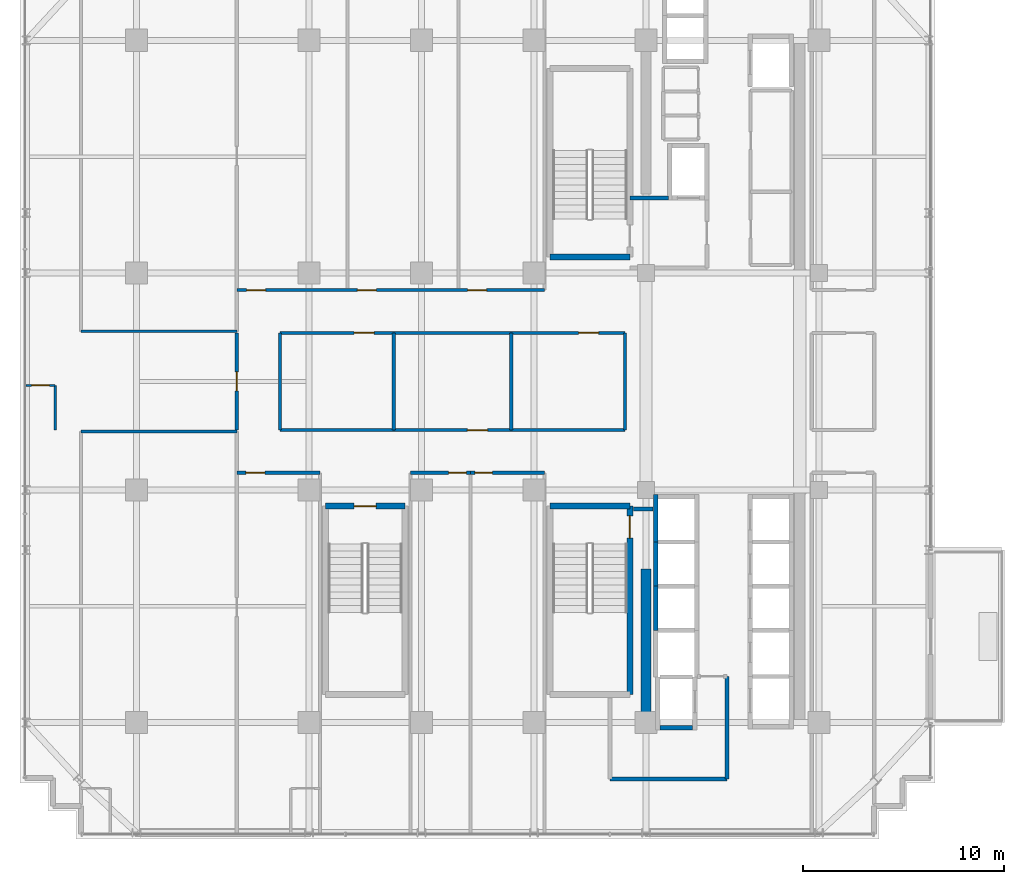
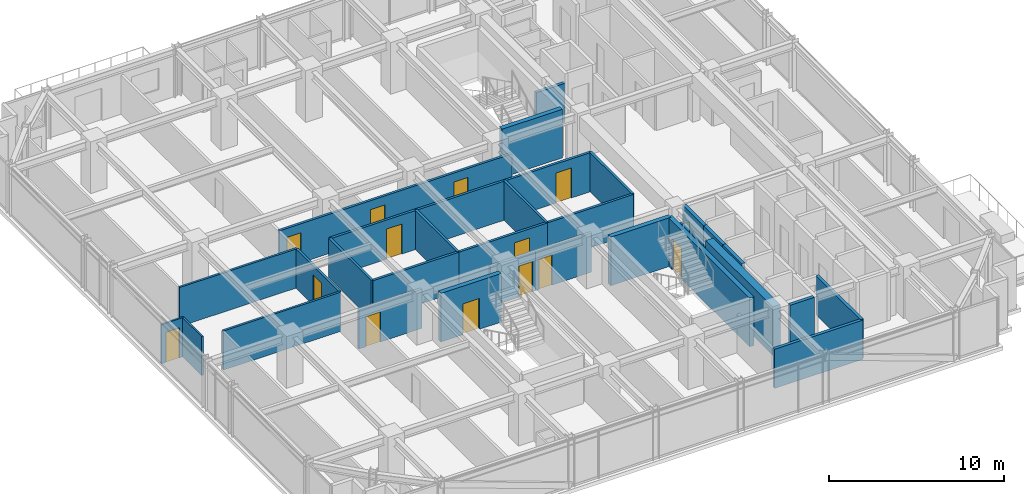
# One storey, part 22 of 29: 32 walls, 13 doors, 13 openings.
"""IFC4 building model written with IfcOpenShell, lengths in metres."""

from ifc_helpers import new_model, si_unit, direction, frame, frame_2d, origin, place, context, subcontext, project, spatial, rectangle, extrude, source, transform, mapped, material, layer, layer_set, type_object, element, fill, save


model = new_model("IFC4")

# Units and contexts
model_context = context("Model", 3, precision=1e-05, world=origin(), true_north=direction((0.0, 1.0)))
body_context = subcontext(model_context, "Body", "Model", "MODEL_VIEW")
ifc_project = project(units=[si_unit("LENGTHUNIT", "METRE"), si_unit("AREAUNIT", "SQUARE_METRE"), si_unit("VOLUMEUNIT", "CUBIC_METRE"), si_unit("PLANEANGLEUNIT", "RADIAN"), si_unit("MASSUNIT", "GRAM", prefix="KILO")], contexts=[model_context])

# Site, building, storey
site_placement = place(None, origin())
site = spatial("IfcSite", under=ifc_project, at=site_placement, CompositionType="ELEMENT")
building_placement = place(site_placement, origin())
building = spatial("IfcBuilding", under=site, at=building_placement, Name="Nahalor Promenade Grand Hotel", CompositionType="ELEMENT")
storey_placement = place(building_placement, frame((0.0, 0.0, 189.14990234375)))
storey = spatial("IfcBuildingStorey", under=building, at=storey_placement, Name="L48", CompositionType="ELEMENT", Elevation=189.14990234375)

# Walls
ifc_material_1 = material(Name="Concrete B-60 (C50/60)", Category="concrete")
ifc_layer_1 = layer(ifc_material_1, 0.5)
ifc_layer_set_1 = layer_set([ifc_layer_1], Name="Concrete B-60 (C50/60)")
wall_type_1 = type_object("IfcWallType", Name="Wall-CoreShear-500", PredefinedType="SHEAR", material=ifc_layer_set_1)
shared_shape_1 = source(origin(), body_context, "Body", "SweptSolid", [
    extrude(rectangle(XDim=7.64990234375, YDim=0.5, at=frame_2d((3.824951171875, 0.0))), origin(), (0.0, 0.0, 1.0), 3.39013671875),
])
wall_1_placement = place(storey_placement, frame((8.39990234375, -17.0, 0.0), z_axis=(0.0, 0.0, 1.0), x_axis=(0.0, 1.0, 0.0)))
element("IfcWall", 1, at=wall_1_placement, inside=storey, type_object=wall_type_1, Name="CWALL-L48-SW", PredefinedType="SHEAR", context=body_context, shape_type="MappedRepresentation", body=[
    mapped(shared_shape_1, transform((0.0, 0.0, 0.0), scale=1.0)),
])
ifc_material_2 = material(Name="Concrete B-50 (C40/50)", Category="concrete")
ifc_layer_2 = layer(ifc_material_2, 0.300048828125)
ifc_layer_set_2 = layer_set([ifc_layer_2], Name="Concrete B-50 (C40/50)")
wall_type_2 = type_object("IfcWallType", Name="Wall-ShaftShear-300", PredefinedType="SHEAR", material=ifc_layer_set_2)
shared_shape_2 = source(origin(), body_context, "Body", "SweptSolid", [
    extrude(rectangle(XDim=3.97998046875, YDim=0.300048828125, at=frame_2d((1.989990234375, 0.0))), origin(), (0.0, 0.0, 1.0), 3.39013671875),
])
for number, where, z_axis, x_axis, name in (
    (2, (3.610107421875, 6.2099609375, 0.0), (0.0, 0.0, 1.0), (1.0, 0.0, 0.0), "L48 Exit Stair ST1 Shaft Wall S"),
    (3, (3.610107421875, -6.2099609375, 0.0), (0.0, 0.0, 1.0), (1.0, 0.0, 0.0), "L48 Exit Stair ST2 Shaft Wall N"),
):
    element("IfcWall", number, at=place(storey_placement, frame(where, z_axis=z_axis, x_axis=x_axis)), inside=storey, type_object=wall_type_2, Name=name, PredefinedType="SHEAR", context=body_context, shape_type="MappedRepresentation", body=[
        mapped(shared_shape_2, transform((0.0, 0.0, 0.0), scale=1.0)),
    ])

# Wall, opening, door
wall_2_placement = place(storey_placement, frame((-7.590087890625, -6.2099609375, 0.0), z_axis=(0.0, 0.0, 1.0), x_axis=(1.0, 0.0, 0.0)))
wall_2 = element("IfcWall", 4, at=wall_2_placement, inside=storey, type_object=wall_type_2, Name="L48 Exit Stair ST3 Shaft Wall N", PredefinedType="SHEAR", context=body_context, shape_type="MappedRepresentation", body=[
    mapped(shared_shape_2, transform((0.0, 0.0, 0.0), scale=1.0)),
])
opening_1_placement = place(wall_2_placement, frame((1.43994140625, 0.0, 0.0)))
opening_1 = element("IfcOpeningElement", 5, at=opening_1_placement, cuts=wall_2, Name="Opening D-ST1", PredefinedType="OPENING", context=body_context, shape_type="SweptSolid", body=[
    extrude(rectangle(XDim=1.10009765625, YDim=2.14990234375, at=frame_2d((0.550048828125, 1.074951171875))), frame((0.0, 0.159912109375, 0.0), z_axis=(0.0, -1.0, 0.0), x_axis=(1.0, 0.0, 0.0)), (0.0, 0.0, 1.0), 0.320068359375),
])
ifc_material_3 = material(Name="Steel S355JR", Category="steel")
door_type_1 = type_object("IfcDoorType", Name="Door-StairFire-1100", OperationType="NOTDEFINED", PredefinedType="DOOR", material=ifc_material_3)
shared_shape_3 = source(origin(), body_context, "Body", "SweptSolid", [
    extrude(rectangle(XDim=1.10009765625, YDim=2.14990234375, at=frame_2d((0.550048828125, 1.074951171875))), frame((0.0, 0.02490234375, 0.0), z_axis=(0.0, -1.0, 0.0), x_axis=(1.0, 0.0, 0.0)), (0.0, 0.0, 1.0), 0.050048828125),
])
door_1_placement = place(opening_1_placement, frame((1.10009765625, 0.0, 0.0), z_axis=(0.0, 0.0, 1.0), x_axis=(-1.0, 0.0, 0.0)))
door_1 = element("IfcDoor", 6, at=door_1_placement, inside=storey, type_object=door_type_1, Name="DR-STAIR-ST3-L48", OperationType="SINGLE_SWING_LEFT", OverallHeight=2.14990234375, OverallWidth=1.10009765625, PredefinedType="DOOR", context=body_context, shape_type="MappedRepresentation", body=[
    mapped(shared_shape_3, transform((0.0, 0.0, 0.0), scale=1.0)),
])
fill(opening_1, door_1)

shared_shape_4 = source(origin(), body_context, "Body", "SweptSolid", [
    extrude(rectangle(XDim=9.380126953125, YDim=0.300048828125, at=frame_2d((4.68994140625, 0.0))), origin(), (0.0, 0.0, 1.0), 3.39013671875),
])
wall_3_placement = place(storey_placement, frame((7.590087890625, -15.590087890625, 0.0), z_axis=(0.0, 0.0, 1.0), x_axis=(0.0, 1.0, 0.0)))
wall_3 = element("IfcWall", 7, at=wall_3_placement, inside=storey, type_object=wall_type_2, Name="L48 Exit Stair ST2 Shaft Wall E", PredefinedType="SHEAR", context=body_context, shape_type="MappedRepresentation", body=[
    mapped(shared_shape_4, transform((0.0, 0.0, 0.0), scale=1.0)),
])
opening_2_placement = place(wall_3_placement, frame((7.7900390625, 0.0, 0.0)))
opening_2 = element("IfcOpeningElement", 8, at=opening_2_placement, cuts=wall_3, Name="Opening D-ST1", PredefinedType="OPENING", context=body_context, shape_type="SweptSolid", body=[
    extrude(rectangle(XDim=1.10009765625, YDim=2.14990234375, at=frame_2d((0.550048828125, 1.074951171875))), frame((0.0, 0.159912109375, 0.0), z_axis=(0.0, -1.0, 0.0), x_axis=(1.0, 0.0, 0.0)), (0.0, 0.0, 1.0), 0.320068359375),
])
door_2_placement = place(opening_2_placement, origin())
door_2 = element("IfcDoor", 9, at=door_2_placement, inside=storey, type_object=door_type_1, Name="DR-STAIR-ST2-L48", OperationType="SINGLE_SWING_LEFT", OverallHeight=2.14990234375, OverallWidth=1.10009765625, PredefinedType="DOOR", context=body_context, shape_type="MappedRepresentation", body=[
    mapped(shared_shape_3, transform((0.0, 0.0, 0.0), scale=1.0)),
])
fill(opening_2, door_2)

# Walls
ifc_layer_3 = layer(ifc_material_2, 0.219970703125)
ifc_layer_set_3 = layer_set([ifc_layer_3], Name="Concrete B-50 (C40/50)")
wall_type_3 = type_object("IfcWallType", Name="Wall-LiftShaft-220", PredefinedType="SHEAR", material=ifc_layer_set_3)
shared_shape_5 = source(origin(), body_context, "Body", "SweptSolid", [
    extrude(rectangle(XDim=2.360107421875, YDim=0.219970703125, at=frame_2d((1.18017578125, 0.0))), origin(), (0.0, 0.0, 1.0), 3.39013671875),
])
wall_4_placement = place(storey_placement, frame((8.8798828125, -8.0, 0.0), z_axis=(0.0, 0.0, 1.0), x_axis=(0.0, 1.0, 0.0)))
element("IfcWall", 10, at=wall_4_placement, inside=storey, type_object=wall_type_3, Name="L48 Lift PL9 Hoistway Wall W", PredefinedType="SHEAR", context=body_context, shape_type="MappedRepresentation", body=[
    mapped(shared_shape_5, transform((0.0, 0.0, 0.0), scale=1.0)),
])
shared_shape_6 = source(origin(), body_context, "Body", "SweptSolid", [
    extrude(rectangle(XDim=2.199951171875, YDim=0.219970703125, at=frame_2d((1.10009765625, 0.0))), origin(), (0.0, 0.0, 1.0), 3.39013671875),
])
for number, where, z_axis, x_axis, name in (
    (11, (8.8798828125, -10.199951171875, 0.0), (0.0, 0.0, 1.0), (0.0, 1.0, 0.0), "L48 Lift PL10 Hoistway Wall W"),
    (12, (8.8798828125, -12.39990234375, 0.0), (0.0, 0.0, 1.0), (0.0, 1.0, 0.0), "L48 Lift PL11 Hoistway Wall W"),
):
    element("IfcWall", number, at=place(storey_placement, frame(where, z_axis=z_axis, x_axis=x_axis)), inside=storey, type_object=wall_type_3, Name=name, PredefinedType="SHEAR", context=body_context, shape_type="MappedRepresentation", body=[
        mapped(shared_shape_6, transform((0.0, 0.0, 0.0), scale=1.0)),
    ])
shared_shape_7 = source(origin(), body_context, "Body", "SweptSolid", [
    extrude(rectangle(XDim=1.619873046875, YDim=0.219970703125, at=frame_2d((0.81005859375, 0.0))), origin(), (0.0, 0.0, 1.0), 3.39013671875),
])
wall_5_placement = place(storey_placement, frame((9.090087890625, -17.25, 0.0), z_axis=(0.0, 0.0, 1.0), x_axis=(1.0, 0.0, 0.0)))
element("IfcWall", 13, at=wall_5_placement, inside=storey, type_object=wall_type_3, Name="L48 Lift FL2 Hoistway Wall S", PredefinedType="SHEAR", context=body_context, shape_type="MappedRepresentation", body=[
    mapped(shared_shape_7, transform((0.0, 0.0, 0.0), scale=1.0)),
])
ifc_material_4 = material(Name="Concrete B-40 (C32/40)", Category="concrete")
ifc_layer_4 = layer(ifc_material_4, 0.199951171875)
ifc_layer_set_4 = layer_set([ifc_layer_4], Name="Concrete B-40 (C32/40)")
wall_type_4 = type_object("IfcWallType", Name="Wall-PartFire-200", PredefinedType="PARTITIONING", material=ifc_layer_set_4)
shared_shape_8 = source(origin(), body_context, "Body", "SweptSolid", [
    extrude(rectangle(XDim=1.89990234375, YDim=0.199951171875, at=frame_2d((0.949951171875, 0.0))), origin(), (0.0, 0.0, 1.0), 2.72998046875),
])
wall_6_placement = place(storey_placement, frame((7.60009765625, 9.14990234375, 0.0), z_axis=(0.0, 0.0, 1.0), x_axis=(1.0, 0.0, 0.0)))
element("IfcWall", 14, at=wall_6_placement, inside=storey, type_object=wall_type_4, Name="W-L48-FF1-N", PredefinedType="PARTITIONING", context=body_context, shape_type="MappedRepresentation", body=[
    mapped(shared_shape_8, transform((0.0, 0.0, 0.0), scale=1.0)),
])
shared_shape_9 = source(origin(), body_context, "Body", "SweptSolid", [
    extrude(rectangle(XDim=5.81982421875, YDim=0.199951171875, at=frame_2d((2.909912109375, 0.0))), origin(), (0.0, 0.0, 1.0), 2.72998046875),
])
wall_7_placement = place(storey_placement, frame((6.60009765625, -19.800048828125, 0.0), z_axis=(0.0, 0.0, 1.0), x_axis=(1.0, 0.0, 0.0)))
element("IfcWall", 15, at=wall_7_placement, inside=storey, type_object=wall_type_4, Name="W-L48-FF2-S1", PredefinedType="PARTITIONING", context=body_context, shape_type="MappedRepresentation", body=[
    mapped(shared_shape_9, transform((0.0, 0.0, 0.0), scale=1.0)),
])
shared_shape_10 = source(origin(), body_context, "Body", "SweptSolid", [
    extrude(rectangle(XDim=5.10009765625, YDim=0.199951171875, at=frame_2d((2.550048828125, 0.0))), origin(), (0.0, 0.0, 1.0), 2.72998046875),
])
wall_8_placement = place(storey_placement, frame((12.419921875, -19.800048828125, 0.0), z_axis=(0.0, 0.0, 1.0), x_axis=(0.0, 1.0, 0.0)))
element("IfcWall", 16, at=wall_8_placement, inside=storey, type_object=wall_type_4, Name="W-L48-FF2-E", PredefinedType="PARTITIONING", context=body_context, shape_type="MappedRepresentation", body=[
    mapped(shared_shape_10, transform((0.0, 0.0, 0.0), scale=1.0)),
])
shared_shape_11 = source(origin(), body_context, "Body", "SweptSolid", [
    extrude(rectangle(XDim=0.969970703125, YDim=0.199951171875, at=frame_2d((0.48486328125, 0.0))), origin(), (0.0, 0.0, 1.0), 2.72998046875),
])
wall_9_placement = place(storey_placement, frame((7.77001953125, -6.35009765625, 0.0), z_axis=(0.0, 0.0, 1.0), x_axis=(1.0, 0.0, 0.0)))
element("IfcWall", 17, at=wall_9_placement, inside=storey, type_object=wall_type_4, Name="W-L48-FF2-N2", PredefinedType="PARTITIONING", context=body_context, shape_type="MappedRepresentation", body=[
    mapped(shared_shape_11, transform((0.0, 0.0, 0.0), scale=1.0)),
])

# Wall, opening, door
ifc_material_5 = material(Name="Acoustic Mineral Gypsum", Category="gypsum")
ifc_layer_5 = layer(ifc_material_5, 0.1201171875)
ifc_layer_set_5 = layer_set([ifc_layer_5], Name="Acoustic Mineral Gypsum")
wall_type_5 = type_object("IfcWallType", Name="Wall-PartBath-120", PredefinedType="PARTITIONING", material=ifc_layer_set_5)
shared_shape_12 = source(origin(), body_context, "Body", "SweptSolid", [
    extrude(rectangle(XDim=1.449951171875, YDim=0.1201171875, at=frame_2d((0.72509765625, 0.0))), origin(), (0.0, 0.0, 1.0), 2.72998046875),
])
wall_10_placement = place(storey_placement, frame((-22.5, -0.199951171875, 0.0), z_axis=(0.0, 0.0, 1.0), x_axis=(1.0, 0.0, 0.0)))
wall_10 = element("IfcWall", 18, at=wall_10_placement, inside=storey, type_object=wall_type_5, Name="W-L48-W1-BH", PredefinedType="PARTITIONING", context=body_context, shape_type="MappedRepresentation", body=[
    mapped(shared_shape_12, transform((0.0, 0.0, 0.0), scale=1.0)),
])
opening_3_placement = place(wall_10_placement, frame((0.284912109375, 0.0, 0.0)))
opening_3 = element("IfcOpeningElement", 19, at=opening_3_placement, cuts=wall_10, Name="Opening D-03", PredefinedType="OPENING", context=body_context, shape_type="SweptSolid", body=[
    extrude(rectangle(XDim=0.8798828125, YDim=2.10009765625, at=frame_2d((0.43994140625, 1.050048828125))), frame((0.0, 0.070068359375, 0.0), z_axis=(0.0, -1.0, 0.0), x_axis=(1.0, 0.0, 0.0)), (0.0, 0.0, 1.0), 0.14013671875),
])
ifc_material_6 = material(Name="Fire-Rated Timber Composite", Category="wood")
door_type_2 = type_object("IfcDoorType", Name="Door-BathSwing-880", OperationType="NOTDEFINED", PredefinedType="DOOR", material=ifc_material_6)
shared_shape_13 = source(origin(), body_context, "Body", "SweptSolid", [
    extrude(rectangle(XDim=0.8798828125, YDim=2.10009765625, at=frame_2d((0.43994140625, 1.050048828125))), frame((0.0, 0.02490234375, 0.0), z_axis=(0.0, -1.0, 0.0), x_axis=(1.0, 0.0, 0.0)), (0.0, 0.0, 1.0), 0.050048828125),
])
door_3_placement = place(opening_3_placement, frame((0.8798828125, 0.0, 0.0), z_axis=(0.0, 0.0, 1.0), x_axis=(-1.0, 0.0, 0.0)))
door_3 = element("IfcDoor", 20, at=door_3_placement, inside=storey, type_object=door_type_2, Name="DR-L48-W1-BATH", OperationType="SINGLE_SWING_RIGHT", OverallHeight=2.10009765625, OverallWidth=0.8798828125, PredefinedType="DOOR", context=body_context, shape_type="MappedRepresentation", body=[
    mapped(shared_shape_13, transform((0.0, 0.0, 0.0), scale=1.0)),
])
fill(opening_3, door_3)

# Wall
shared_shape_14 = source(origin(), body_context, "Body", "SweptSolid", [
    extrude(rectangle(XDim=2.219970703125, YDim=0.1201171875, at=frame_2d((1.10986328125, 0.0))), origin(), (0.0, 0.0, 1.0), 2.72998046875),
])
wall_11_placement = place(storey_placement, frame((-21.050048828125, -2.419921875, 0.0), z_axis=(0.0, 0.0, 1.0), x_axis=(0.0, 1.0, 0.0)))
element("IfcWall", 21, at=wall_11_placement, inside=storey, type_object=wall_type_5, Name="W-L48-W1-BV", PredefinedType="PARTITIONING", context=body_context, shape_type="MappedRepresentation", body=[
    mapped(shared_shape_14, transform((0.0, 0.0, 0.0), scale=1.0)),
])

# Wall, opening, door
ifc_layer_6 = layer(ifc_material_5, 0.159912109375)
ifc_layer_set_6 = layer_set([ifc_layer_6], Name="Acoustic Mineral Gypsum")
wall_type_6 = type_object("IfcWallType", Name="Wall-PartCorridor-160", PredefinedType="PARTITIONING", material=ifc_layer_set_6)
shared_shape_15 = source(origin(), body_context, "Body", "SweptSolid", [
    extrude(rectangle(XDim=4.83984375, YDim=0.159912109375, at=frame_2d((2.419921875, 0.0))), origin(), (0.0, 0.0, 1.0), 2.72998046875),
])
wall_12_placement = place(storey_placement, frame((-12.0, -2.419921875, 0.0), z_axis=(0.0, 0.0, 1.0), x_axis=(0.0, 1.0, 0.0)))
wall_12 = element("IfcWall", 22, at=wall_12_placement, inside=storey, type_object=wall_type_6, Name="W-L48-WEST-E", PredefinedType="PARTITIONING", context=body_context, shape_type="MappedRepresentation", body=[
    mapped(shared_shape_15, transform((0.0, 0.0, 0.0), scale=1.0)),
])
opening_4_placement = place(wall_12_placement, frame((1.945068359375, 0.0, 0.0)))
opening_4 = element("IfcOpeningElement", 23, at=opening_4_placement, cuts=wall_12, Name="Opening D-01", PredefinedType="OPENING", context=body_context, shape_type="SweptSolid", body=[
    extrude(rectangle(XDim=0.949951171875, YDim=2.10009765625, at=frame_2d((0.47509765625, 1.050048828125))), frame((0.0, 0.08984375, 0.0), z_axis=(0.0, -1.0, 0.0), x_axis=(1.0, 0.0, 0.0)), (0.0, 0.0, 1.0), 0.179931640625),
])
door_type_3 = type_object("IfcDoorType", Name="Door-GuestEntry-950", OperationType="NOTDEFINED", PredefinedType="DOOR", material=ifc_material_6)
shared_shape_16 = source(origin(), body_context, "Body", "SweptSolid", [
    extrude(rectangle(XDim=0.949951171875, YDim=2.10009765625, at=frame_2d((0.47509765625, 1.050048828125))), frame((0.0, 0.02490234375, 0.0), z_axis=(0.0, -1.0, 0.0), x_axis=(1.0, 0.0, 0.0)), (0.0, 0.0, 1.0), 0.050048828125),
])
door_4_placement = place(opening_4_placement, origin())
door_4 = element("IfcDoor", 24, at=door_4_placement, inside=storey, type_object=door_type_3, Name="DR-L48-W1-ENT", OperationType="SINGLE_SWING_LEFT", OverallHeight=2.10009765625, OverallWidth=0.949951171875, PredefinedType="DOOR", context=body_context, shape_type="MappedRepresentation", body=[
    mapped(shared_shape_16, transform((0.0, 0.0, 0.0), scale=1.0)),
])
fill(opening_4, door_4)

# Walls
for number, where, z_axis, x_axis, name in (
    (25, (-9.85009765625, -2.419921875, 0.0), (0.0, 0.0, 1.0), (0.0, 1.0, 0.0), "W-L48-CM1-W"),
    (26, (-4.174072265625, -2.419921875, 0.0), (0.0, 0.0, 1.0), (0.0, 1.0, 0.0), "W-L48-CM1-E"),
    (27, (1.674072265625, -2.419921875, 0.0), (0.0, 0.0, 1.0), (0.0, 1.0, 0.0), "W-L48-CM2-E"),
    (28, (7.35009765625, -2.419921875, 0.0), (0.0, 0.0, 1.0), (0.0, 1.0, 0.0), "W-L48-CM3-E"),
):
    element("IfcWall", number, at=place(storey_placement, frame(where, z_axis=z_axis, x_axis=x_axis)), inside=storey, type_object=wall_type_6, Name=name, PredefinedType="PARTITIONING", context=body_context, shape_type="MappedRepresentation", body=[
        mapped(shared_shape_15, transform((0.0, 0.0, 0.0), scale=1.0)),
    ])
ifc_layer_7 = layer(ifc_material_5, 0.139892578125)
ifc_layer_set_7 = layer_set([ifc_layer_7], Name="Acoustic Mineral Gypsum")
wall_type_7 = type_object("IfcWallType", Name="Wall-PartSuite-140", PredefinedType="PARTITIONING", material=ifc_layer_set_7)
shared_shape_17 = source(origin(), body_context, "Body", "SweptSolid", [
    extrude(rectangle(XDim=7.760009765625, YDim=0.139892578125, at=frame_2d((3.8798828125, 0.0))), origin(), (0.0, 0.0, 1.0), 2.72998046875),
])
for number, where, z_axis, x_axis, name in (
    (29, (-19.760009765625, 2.5, 0.0), (0.0, 0.0, 1.0), (1.0, 0.0, 0.0), "W-L48-ZNW-S"),
    (30, (-19.760009765625, -2.5, 0.0), (0.0, 0.0, 1.0), (1.0, 0.0, 0.0), "W-L48-ZSW-N"),
):
    element("IfcWall", number, at=place(storey_placement, frame(where, z_axis=z_axis, x_axis=x_axis)), inside=storey, type_object=wall_type_7, Name=name, PredefinedType="PARTITIONING", context=body_context, shape_type="MappedRepresentation", body=[
        mapped(shared_shape_17, transform((0.0, 0.0, 0.0), scale=1.0)),
    ])

# Wall, openings, doors
shared_shape_18 = source(origin(), body_context, "Body", "SweptSolid", [
    extrude(rectangle(XDim=15.340087890625, YDim=0.159912109375, at=frame_2d((7.669921875, 0.0))), origin(), (0.0, 0.0, 1.0), 2.72998046875),
])
wall_13_placement = place(storey_placement, frame((-12.0, 4.550048828125, 0.0), z_axis=(0.0, 0.0, 1.0), x_axis=(1.0, 0.0, 0.0)))
wall_13 = element("IfcWall", 31, at=wall_13_placement, inside=storey, type_object=wall_type_6, Name="W-L48-CORR-N", PredefinedType="PARTITIONING", context=body_context, shape_type="MappedRepresentation", body=[
    mapped(shared_shape_18, transform((0.0, 0.0, 0.0), scale=1.0)),
])
opening_5_placement = place(wall_13_placement, frame((0.487060546875, 0.0, 0.0)))
opening_5 = element("IfcOpeningElement", 32, at=opening_5_placement, cuts=wall_13, Name="Opening D-01", PredefinedType="OPENING", context=body_context, shape_type="SweptSolid", body=[
    extrude(rectangle(XDim=0.949951171875, YDim=2.10009765625, at=frame_2d((0.47509765625, 1.050048828125))), frame((0.0, 0.08984375, 0.0), z_axis=(0.0, -1.0, 0.0), x_axis=(1.0, 0.0, 0.0)), (0.0, 0.0, 1.0), 0.179931640625),
])
opening_6_placement = place(wall_13_placement, frame((6.009033203125, 0.0, 0.0)))
opening_6 = element("IfcOpeningElement", 33, at=opening_6_placement, cuts=wall_13, Name="Opening D-01", PredefinedType="OPENING", context=body_context, shape_type="SweptSolid", body=[
    extrude(rectangle(XDim=0.949951171875, YDim=2.10009765625, at=frame_2d((0.47509765625, 1.050048828125))), frame((0.0, 0.08984375, 0.0), z_axis=(0.0, -1.0, 0.0), x_axis=(1.0, 0.0, 0.0)), (0.0, 0.0, 1.0), 0.179931640625),
])
opening_7_placement = place(wall_13_placement, frame((11.5048828125, 0.0, 0.0)))
opening_7 = element("IfcOpeningElement", 34, at=opening_7_placement, cuts=wall_13, Name="Opening D-01", PredefinedType="OPENING", context=body_context, shape_type="SweptSolid", body=[
    extrude(rectangle(XDim=0.949951171875, YDim=2.10009765625, at=frame_2d((0.47509765625, 1.050048828125))), frame((0.0, 0.08984375, 0.0), z_axis=(0.0, -1.0, 0.0), x_axis=(1.0, 0.0, 0.0)), (0.0, 0.0, 1.0), 0.179931640625),
])
door_5_placement = place(opening_5_placement, origin())
door_5 = element("IfcDoor", 35, at=door_5_placement, inside=storey, type_object=door_type_3, Name="DR-L48-N1-ENT", OperationType="SINGLE_SWING_LEFT", OverallHeight=2.10009765625, OverallWidth=0.949951171875, PredefinedType="DOOR", context=body_context, shape_type="MappedRepresentation", body=[
    mapped(shared_shape_16, transform((0.0, 0.0, 0.0), scale=1.0)),
])
fill(opening_5, door_5)
door_6_placement = place(opening_6_placement, origin())
door_6 = element("IfcDoor", 36, at=door_6_placement, inside=storey, type_object=door_type_3, Name="DR-L48-N2-ENT", OperationType="SINGLE_SWING_LEFT", OverallHeight=2.10009765625, OverallWidth=0.949951171875, PredefinedType="DOOR", context=body_context, shape_type="MappedRepresentation", body=[
    mapped(shared_shape_16, transform((0.0, 0.0, 0.0), scale=1.0)),
])
fill(opening_6, door_6)
door_7_placement = place(opening_7_placement, origin())
door_7 = element("IfcDoor", 37, at=door_7_placement, inside=storey, type_object=door_type_3, Name="DR-L48-N3-ENT", OperationType="SINGLE_SWING_LEFT", OverallHeight=2.10009765625, OverallWidth=0.949951171875, PredefinedType="DOOR", context=body_context, shape_type="MappedRepresentation", body=[
    mapped(shared_shape_16, transform((0.0, 0.0, 0.0), scale=1.0)),
])
fill(opening_7, door_7)

# Wall, opening, door
shared_shape_19 = source(origin(), body_context, "Body", "SweptSolid", [
    extrude(rectangle(XDim=4.139892578125, YDim=0.159912109375, at=frame_2d((2.06982421875, 0.0))), origin(), (0.0, 0.0, 1.0), 2.72998046875),
])
wall_14_placement = place(storey_placement, frame((-12.0, -4.550048828125, 0.0), z_axis=(0.0, 0.0, 1.0), x_axis=(1.0, 0.0, 0.0)))
wall_14 = element("IfcWall", 38, at=wall_14_placement, inside=storey, type_object=wall_type_6, Name="W-L48-CORR-S", PredefinedType="PARTITIONING", context=body_context, shape_type="MappedRepresentation", body=[
    mapped(shared_shape_19, transform((0.0, 0.0, 0.0), scale=1.0)),
])
opening_8_placement = place(wall_14_placement, frame((0.45703125, 0.0, 0.0)))
opening_8 = element("IfcOpeningElement", 39, at=opening_8_placement, cuts=wall_14, Name="Opening D-01", PredefinedType="OPENING", context=body_context, shape_type="SweptSolid", body=[
    extrude(rectangle(XDim=0.949951171875, YDim=2.10009765625, at=frame_2d((0.47509765625, 1.050048828125))), frame((0.0, 0.08984375, 0.0), z_axis=(0.0, -1.0, 0.0), x_axis=(1.0, 0.0, 0.0)), (0.0, 0.0, 1.0), 0.179931640625),
])
door_8_placement = place(opening_8_placement, frame((0.949951171875, 0.0, 0.0), z_axis=(0.0, 0.0, 1.0), x_axis=(-1.0, 0.0, 0.0)))
door_8 = element("IfcDoor", 40, at=door_8_placement, inside=storey, type_object=door_type_3, Name="DR-L48-S1-ENT", OperationType="SINGLE_SWING_LEFT", OverallHeight=2.10009765625, OverallWidth=0.949951171875, PredefinedType="DOOR", context=body_context, shape_type="MappedRepresentation", body=[
    mapped(shared_shape_16, transform((0.0, 0.0, 0.0), scale=1.0)),
])
fill(opening_8, door_8)

shared_shape_20 = source(origin(), body_context, "Body", "SweptSolid", [
    extrude(rectangle(XDim=2.989990234375, YDim=0.159912109375, at=frame_2d((1.4951171875, 0.0))), origin(), (0.0, 0.0, 1.0), 2.72998046875),
])
wall_15_placement = place(storey_placement, frame((-3.340087890625, -4.550048828125, 0.0), z_axis=(0.0, 0.0, 1.0), x_axis=(1.0, 0.0, 0.0)))
wall_15 = element("IfcWall", 41, at=wall_15_placement, inside=storey, type_object=wall_type_6, Name="W-L48-SCB1-N", PredefinedType="PARTITIONING", context=body_context, shape_type="MappedRepresentation", body=[
    mapped(shared_shape_20, transform((0.0, 0.0, 0.0), scale=1.0)),
])
opening_9_placement = place(wall_15_placement, frame((1.89990234375, 0.0, 0.0)))
opening_9 = element("IfcOpeningElement", 42, at=opening_9_placement, cuts=wall_15, Name="Opening D-03", PredefinedType="OPENING", context=body_context, shape_type="SweptSolid", body=[
    extrude(rectangle(XDim=0.8798828125, YDim=2.10009765625, at=frame_2d((0.43994140625, 1.050048828125))), frame((0.0, 0.08984375, 0.0), z_axis=(0.0, -1.0, 0.0), x_axis=(1.0, 0.0, 0.0)), (0.0, 0.0, 1.0), 0.179931640625),
])
door_9_placement = place(opening_9_placement, frame((0.8798828125, 0.0, 0.0), z_axis=(0.0, 0.0, 1.0), x_axis=(-1.0, 0.0, 0.0)))
door_9 = element("IfcDoor", 43, at=door_9_placement, inside=storey, type_object=door_type_2, Name="DR-L48-SCB1", OperationType="SINGLE_SWING_RIGHT", OverallHeight=2.10009765625, OverallWidth=0.8798828125, PredefinedType="DOOR", context=body_context, shape_type="MappedRepresentation", body=[
    mapped(shared_shape_13, transform((0.0, 0.0, 0.0), scale=1.0)),
])
fill(opening_9, door_9)

shared_shape_21 = source(origin(), body_context, "Body", "SweptSolid", [
    extrude(rectangle(XDim=3.690185546875, YDim=0.159912109375, at=frame_2d((1.84521484375, 0.0))), origin(), (0.0, 0.0, 1.0), 2.72998046875),
])
wall_16_placement = place(storey_placement, frame((-0.35009765625, -4.550048828125, 0.0), z_axis=(0.0, 0.0, 1.0), x_axis=(1.0, 0.0, 0.0)))
wall_16 = element("IfcWall", 44, at=wall_16_placement, inside=storey, type_object=wall_type_6, Name="W-L48-SCB2-N", PredefinedType="PARTITIONING", context=body_context, shape_type="MappedRepresentation", body=[
    mapped(shared_shape_21, transform((0.0, 0.0, 0.0), scale=1.0)),
])
opening_10_placement = place(wall_16_placement, frame((0.2099609375, 0.0, 0.0)))
opening_10 = element("IfcOpeningElement", 45, at=opening_10_placement, cuts=wall_16, Name="Opening D-03", PredefinedType="OPENING", context=body_context, shape_type="SweptSolid", body=[
    extrude(rectangle(XDim=0.8798828125, YDim=2.10009765625, at=frame_2d((0.43994140625, 1.050048828125))), frame((0.0, 0.08984375, 0.0), z_axis=(0.0, -1.0, 0.0), x_axis=(1.0, 0.0, 0.0)), (0.0, 0.0, 1.0), 0.179931640625),
])
door_10_placement = place(opening_10_placement, frame((0.8798828125, 0.0, 0.0), z_axis=(0.0, 0.0, 1.0), x_axis=(-1.0, 0.0, 0.0)))
door_10 = element("IfcDoor", 46, at=door_10_placement, inside=storey, type_object=door_type_2, Name="DR-L48-SCB2", OperationType="SINGLE_SWING_LEFT", OverallHeight=2.10009765625, OverallWidth=0.8798828125, PredefinedType="DOOR", context=body_context, shape_type="MappedRepresentation", body=[
    mapped(shared_shape_13, transform((0.0, 0.0, 0.0), scale=1.0)),
])
fill(opening_10, door_10)

# Wall
shared_shape_22 = source(origin(), body_context, "Body", "SweptSolid", [
    extrude(rectangle(XDim=5.676025390625, YDim=0.159912109375, at=frame_2d((2.837890625, 0.0))), origin(), (0.0, 0.0, 1.0), 2.72998046875),
])
wall_17_placement = place(storey_placement, frame((-9.85009765625, -2.419921875, 0.0), z_axis=(0.0, 0.0, 1.0), x_axis=(1.0, 0.0, 0.0)))
element("IfcWall", 47, at=wall_17_placement, inside=storey, type_object=wall_type_6, Name="W-L48-CM1-S", PredefinedType="PARTITIONING", context=body_context, shape_type="MappedRepresentation", body=[
    mapped(shared_shape_22, transform((0.0, 0.0, 0.0), scale=1.0)),
])

# Wall, opening, door
wall_18_placement = place(storey_placement, frame((-9.85009765625, 2.419921875, 0.0), z_axis=(0.0, 0.0, 1.0), x_axis=(1.0, 0.0, 0.0)))
wall_18 = element("IfcWall", 48, at=wall_18_placement, inside=storey, type_object=wall_type_6, Name="W-L48-CM1-N", PredefinedType="PARTITIONING", context=body_context, shape_type="MappedRepresentation", body=[
    mapped(shared_shape_22, transform((0.0, 0.0, 0.0), scale=1.0)),
])
opening_11_placement = place(wall_18_placement, frame((3.699951171875, 0.0, 0.0)))
opening_11 = element("IfcOpeningElement", 49, at=opening_11_placement, cuts=wall_18, Name="Opening D-04", PredefinedType="OPENING", context=body_context, shape_type="SweptSolid", body=[
    extrude(rectangle(XDim=1.0, YDim=2.10009765625, at=frame_2d((0.5, 1.050048828125))), frame((0.0, 0.08984375, 0.0), z_axis=(0.0, -1.0, 0.0), x_axis=(1.0, 0.0, 0.0)), (0.0, 0.0, 1.0), 0.179931640625),
])
door_type_4 = type_object("IfcDoorType", Name="Door-ServiceFire-1000", OperationType="NOTDEFINED", PredefinedType="DOOR", material=ifc_material_3)
shared_shape_23 = source(origin(), body_context, "Body", "SweptSolid", [
    extrude(rectangle(XDim=1.0, YDim=2.10009765625, at=frame_2d((0.5, 1.050048828125))), frame((0.0, 0.02490234375, 0.0), z_axis=(0.0, -1.0, 0.0), x_axis=(1.0, 0.0, 0.0)), (0.0, 0.0, 1.0), 0.050048828125),
])
door_11_placement = place(opening_11_placement, frame((1.0, 0.0, 0.0), z_axis=(0.0, 0.0, 1.0), x_axis=(-1.0, 0.0, 0.0)))
door_11 = element("IfcDoor", 50, at=door_11_placement, inside=storey, type_object=door_type_4, Name="DR-L48-CM1", OperationType="SINGLE_SWING_RIGHT", OverallHeight=2.10009765625, OverallWidth=1.0, PredefinedType="DOOR", context=body_context, shape_type="MappedRepresentation", body=[
    mapped(shared_shape_23, transform((0.0, 0.0, 0.0), scale=1.0)),
])
fill(opening_11, door_11)

# Wall
wall_19_placement = place(storey_placement, frame((1.674072265625, -2.419921875, 0.0), z_axis=(0.0, 0.0, 1.0), x_axis=(1.0, 0.0, 0.0)))
element("IfcWall", 51, at=wall_19_placement, inside=storey, type_object=wall_type_6, Name="W-L48-CM3-S", PredefinedType="PARTITIONING", context=body_context, shape_type="MappedRepresentation", body=[
    mapped(shared_shape_22, transform((0.0, 0.0, 0.0), scale=1.0)),
])

# Wall, opening, door
wall_20_placement = place(storey_placement, frame((1.674072265625, 2.419921875, 0.0), z_axis=(0.0, 0.0, 1.0), x_axis=(1.0, 0.0, 0.0)))
wall_20 = element("IfcWall", 52, at=wall_20_placement, inside=storey, type_object=wall_type_6, Name="W-L48-CM3-N", PredefinedType="PARTITIONING", context=body_context, shape_type="MappedRepresentation", body=[
    mapped(shared_shape_22, transform((0.0, 0.0, 0.0), scale=1.0)),
])
opening_12_placement = place(wall_20_placement, frame((3.360107421875, 0.0, 0.0)))
opening_12 = element("IfcOpeningElement", 53, at=opening_12_placement, cuts=wall_20, Name="Opening D-04", PredefinedType="OPENING", context=body_context, shape_type="SweptSolid", body=[
    extrude(rectangle(XDim=1.0, YDim=2.10009765625, at=frame_2d((0.5, 1.050048828125))), frame((0.0, 0.08984375, 0.0), z_axis=(0.0, -1.0, 0.0), x_axis=(1.0, 0.0, 0.0)), (0.0, 0.0, 1.0), 0.179931640625),
])
door_12_placement = place(opening_12_placement, frame((1.0, 0.0, 0.0), z_axis=(0.0, 0.0, 1.0), x_axis=(-1.0, 0.0, 0.0)))
door_12 = element("IfcDoor", 54, at=door_12_placement, inside=storey, type_object=door_type_4, Name="DR-L48-CM3", OperationType="SINGLE_SWING_RIGHT", OverallHeight=2.10009765625, OverallWidth=1.0, PredefinedType="DOOR", context=body_context, shape_type="MappedRepresentation", body=[
    mapped(shared_shape_23, transform((0.0, 0.0, 0.0), scale=1.0)),
])
fill(opening_12, door_12)

shared_shape_24 = source(origin(), body_context, "Body", "SweptSolid", [
    extrude(rectangle(XDim=5.84814453125, YDim=0.159912109375, at=frame_2d((2.924072265625, 0.0))), origin(), (0.0, 0.0, 1.0), 2.72998046875),
])
wall_21_placement = place(storey_placement, frame((-4.174072265625, -2.419921875, 0.0), z_axis=(0.0, 0.0, 1.0), x_axis=(1.0, 0.0, 0.0)))
wall_21 = element("IfcWall", 55, at=wall_21_placement, inside=storey, type_object=wall_type_6, Name="W-L48-CM2-S", PredefinedType="PARTITIONING", context=body_context, shape_type="MappedRepresentation", body=[
    mapped(shared_shape_24, transform((0.0, 0.0, 0.0), scale=1.0)),
])
opening_13_placement = place(wall_21_placement, frame((3.66796875, 0.0, 0.0)))
opening_13 = element("IfcOpeningElement", 56, at=opening_13_placement, cuts=wall_21, Name="Opening D-04", PredefinedType="OPENING", context=body_context, shape_type="SweptSolid", body=[
    extrude(rectangle(XDim=1.0, YDim=2.10009765625, at=frame_2d((0.5, 1.050048828125))), frame((0.0, 0.08984375, 0.0), z_axis=(0.0, -1.0, 0.0), x_axis=(1.0, 0.0, 0.0)), (0.0, 0.0, 1.0), 0.179931640625),
])
door_13_placement = place(opening_13_placement, origin())
door_13 = element("IfcDoor", 57, at=door_13_placement, inside=storey, type_object=door_type_4, Name="DR-L48-CM2", OperationType="SINGLE_SWING_LEFT", OverallHeight=2.10009765625, OverallWidth=1.0, PredefinedType="DOOR", context=body_context, shape_type="MappedRepresentation", body=[
    mapped(shared_shape_23, transform((0.0, 0.0, 0.0), scale=1.0)),
])
fill(opening_13, door_13)

# Wall
wall_22_placement = place(storey_placement, frame((-4.174072265625, 2.419921875, 0.0), z_axis=(0.0, 0.0, 1.0), x_axis=(1.0, 0.0, 0.0)))
element("IfcWall", 58, at=wall_22_placement, inside=storey, type_object=wall_type_6, Name="W-L48-CM2-N", PredefinedType="PARTITIONING", context=body_context, shape_type="MappedRepresentation", body=[
    mapped(shared_shape_24, transform((0.0, 0.0, 0.0), scale=1.0)),
])

save(model, "model.ifc")
